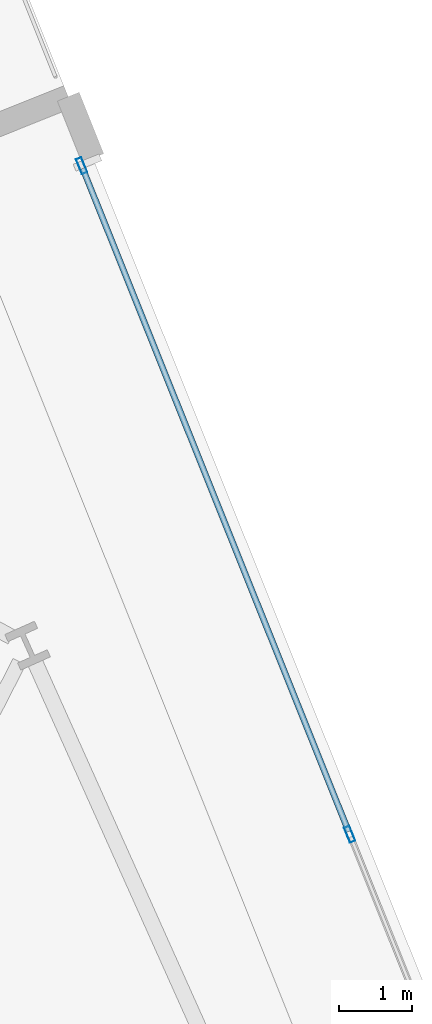
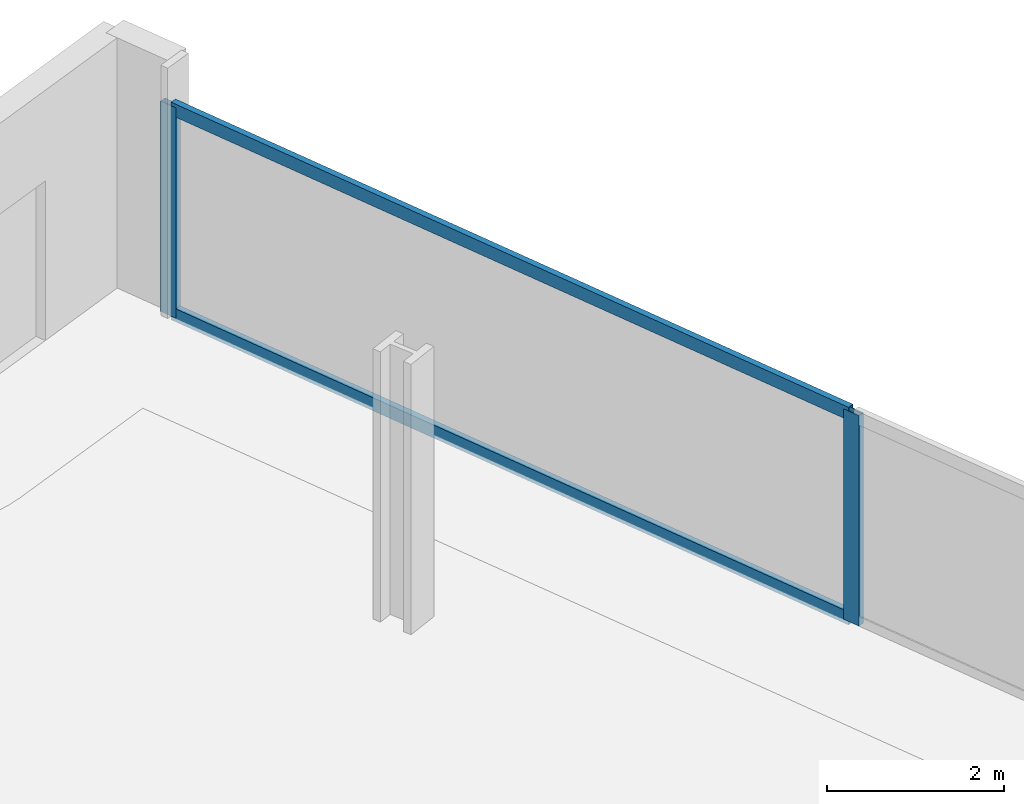
# One storey, part 22 of 33: 4 members, 1 element without a shape of its own.
"""IFC4 building model written with IfcOpenShell, lengths in metres."""

from ifc_helpers import new_model, si_unit, direction, frame, origin, origin_2d, place, context, subcontext, project, spatial, hollow_rectangle, extrude, material, material_profile, profile_set, type_object, element, aggregate, save


model = new_model("IFC4")

# Units and contexts
model_context = context("Model", 3, precision=1e-05, world=origin(), true_north=direction((0.0, 1.0)))
body_context = subcontext(model_context, "Body", "Model", "MODEL_VIEW")
ifc_project = project(units=[si_unit("LENGTHUNIT", "METRE"), si_unit("AREAUNIT", "SQUARE_METRE"), si_unit("VOLUMEUNIT", "CUBIC_METRE"), si_unit("PLANEANGLEUNIT", "RADIAN"), si_unit("MASSUNIT", "GRAM", prefix="KILO")], contexts=[model_context])

# Site, building, storey
site_placement = place(None, origin())
site = spatial("IfcSite", under=ifc_project, at=site_placement, CompositionType="ELEMENT")
building_placement = place(site_placement, origin())
building = spatial("IfcBuilding", under=site, at=building_placement, Name="Haldenkirk Collegiate Tower", CompositionType="ELEMENT")
storey_placement = place(building_placement, frame((0.0, 0.0, 101.699951171875)))
storey = spatial("IfcBuildingStorey", under=building, at=storey_placement, Name="L24", CompositionType="ELEMENT", Elevation=101.699951171875)

# Curtain wall, members
ifc_material = material(Name="Anodised architectural bronze aluminium", Category="aluminium")
curtain_wall_type = type_object("IfcCurtainWallType", Name="CW-SYS1-CONVEX-LOW", PredefinedType="USERDEFINED", material=ifc_material)
curtain_wall_placement = place(storey_placement, origin())
curtain_wall = element("IfcCurtainWall", 1, at=curtain_wall_placement, inside=storey, type_object=curtain_wall_type, Name="L24 Lower tower convex bronze-framed unitised curtain wall", ObjectType="UNITISED CURTAIN WALL", PredefinedType="USERDEFINED")
ifc_material_profile_1 = material_profile(ifc_material, hollow_rectangle(XDim=0.080078125, YDim=0.219970703125, WallThickness=0.0048828125, at=origin_2d()), Name="CW-MUL-1A")
ifc_profile_set_1 = profile_set([ifc_material_profile_1], Name="Anodised architectural bronze aluminium")
member_type_1 = type_object("IfcMemberType", Name="CW-MUL-1A", PredefinedType="MULLION", material=ifc_profile_set_1)
member_1_placement = place(storey_placement, frame((52.66650390625, 54.080078125, 0.0), z_axis=(0.0, 0.0, 1.0), x_axis=(0.928162513726, 0.372175157841, 0.0)))
member_1 = element("IfcMember", 2, at=member_1_placement, type_object=member_type_1, Name="CW-1A mullion 1", PredefinedType="MULLION", context=body_context, shape_type="SweptSolid", body=[
    extrude(hollow_rectangle(XDim=0.080078125, YDim=0.219970703125, WallThickness=0.0048828125, at=origin_2d()), origin(), (0.0, 0.0, 1.0), 2.901123046875),
])
member_2_placement = place(storey_placement, frame((56.317626953125, 44.974853515625, 0.0), z_axis=(0.0, 0.0, 1.0), x_axis=(0.928162513726, 0.372175157841, 0.0)))
member_2 = element("IfcMember", 3, at=member_2_placement, type_object=member_type_1, Name="CW-1A mullion 2", PredefinedType="MULLION", context=body_context, shape_type="SweptSolid", body=[
    extrude(hollow_rectangle(XDim=0.080078125, YDim=0.219970703125, WallThickness=0.0048828125, at=origin_2d()), origin(), (0.0, 0.0, 1.0), 2.901123046875),
])
ifc_material_profile_2 = material_profile(ifc_material, hollow_rectangle(XDim=0.080078125, YDim=0.179931640625, WallThickness=0.0048828125, at=origin_2d()), Name="CW-TRN-1A")
ifc_profile_set_2 = profile_set([ifc_material_profile_2], Name="Anodised architectural bronze aluminium")
member_type_2 = type_object("IfcMemberType", Name="CW-TRN-1A", PredefinedType="USERDEFINED", material=ifc_profile_set_2)
member_3_placement = place(storey_placement, frame((52.681396484375, 54.04296875, 0.0400390625), z_axis=(0.372182221437, -0.92815968133, 0.0), x_axis=(0.92815968133, 0.372182221437, 0.0)))
member_3 = element("IfcMember", 4, at=member_3_placement, type_object=member_type_2, Name="CW-1A transom 1.1", ObjectType="TRANSOM", PredefinedType="USERDEFINED", context=body_context, shape_type="SweptSolid", body=[
    extrude(hollow_rectangle(XDim=0.080078125, YDim=0.179931640625, WallThickness=0.0048828125, at=origin_2d()), origin(), (0.0, 0.0, 1.0), 9.72998046875),
])
member_4_placement = place(storey_placement, frame((52.681396484375, 54.04296875, 2.861083984375), z_axis=(0.372182221437, -0.92815968133, 0.0), x_axis=(0.92815968133, 0.372182221437, 0.0)))
member_4 = element("IfcMember", 5, at=member_4_placement, type_object=member_type_2, Name="CW-1A transom 1.2", ObjectType="TRANSOM", PredefinedType="USERDEFINED", context=body_context, shape_type="SweptSolid", body=[
    extrude(hollow_rectangle(XDim=0.080078125, YDim=0.179931640625, WallThickness=0.0048828125, at=origin_2d()), origin(), (0.0, 0.0, 1.0), 9.72998046875),
])
aggregate(curtain_wall, [member_1, member_2, member_3, member_4])

save(model, "model.ifc")
